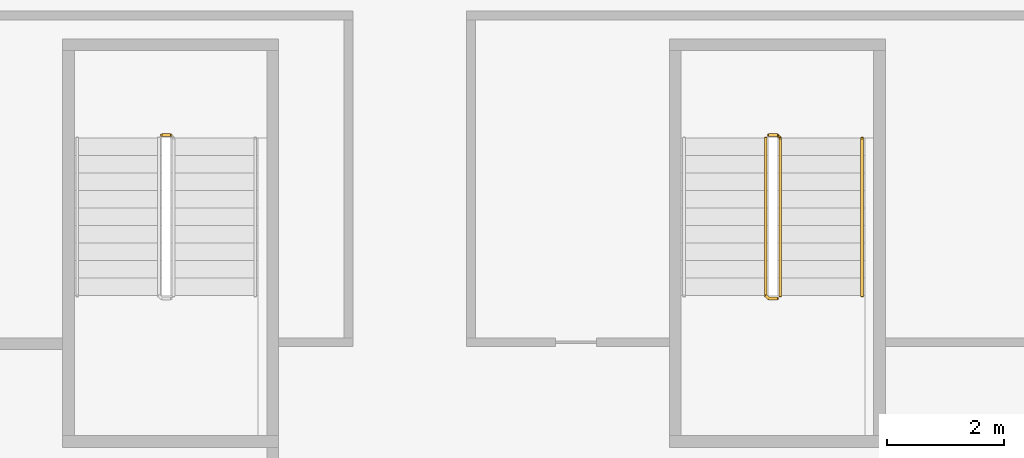
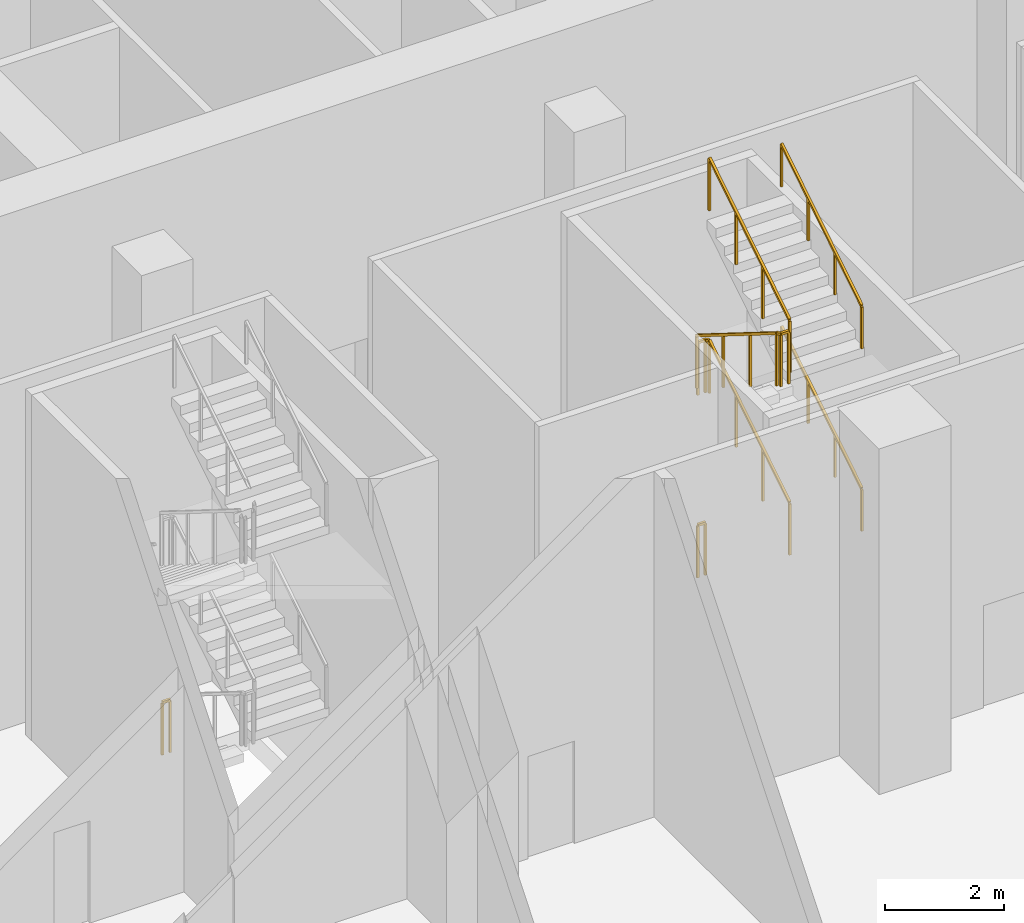
# One storey, part 38 of 53: 7 railings.
"""IFC4 building model written with IfcOpenShell, lengths in metres."""

from ifc_helpers import new_model, si_unit, direction, frame, origin, origin_2d, place, context, subcontext, project, spatial, rectangle, extrude, material, type_object, element, save


model = new_model("IFC4")

# Units and contexts
model_context = context("Model", 3, precision=1e-05, world=origin(), true_north=direction((0.0, 1.0)))
body_context = subcontext(model_context, "Body", "Model", "MODEL_VIEW")
ifc_project = project(units=[si_unit("LENGTHUNIT", "METRE"), si_unit("AREAUNIT", "SQUARE_METRE"), si_unit("VOLUMEUNIT", "CUBIC_METRE"), si_unit("PLANEANGLEUNIT", "RADIAN"), si_unit("MASSUNIT", "GRAM", prefix="KILO")], contexts=[model_context])

# Site, building, storey
site_placement = place(None, origin())
site = spatial("IfcSite", under=ifc_project, at=site_placement, CompositionType="ELEMENT")
building_placement = place(site_placement, origin())
building = spatial("IfcBuilding", under=site, at=building_placement, Name="Vermilion Ogive Tower", CompositionType="ELEMENT")
storey_placement = place(building_placement, origin())
storey = spatial("IfcBuildingStorey", under=building, at=storey_placement, Name="L00", CompositionType="ELEMENT", Elevation=0.0)

# Railings
ifc_material_1 = material(Name="Steel S355 painted", Category="steel")
railing_type_1 = type_object("IfcRailingType", Name="Stair guard 1100", PredefinedType="GUARDRAIL", material=ifc_material_1)
railing_1_placement = place(storey_placement, frame((-10.550048828125, -14.64990234375, 0.0)))
element("IfcRailing", 1, at=railing_1_placement, inside=storey, type_object=railing_type_1, Name="L00 ST3 stair guard 8", PredefinedType="GUARDRAIL", context=body_context, shape_type="SweptSolid", body=[
    extrude(rectangle(XDim=0.048095703125, YDim=0.048095703125, at=origin_2d()), frame((0.0, 0.0, 1.076171875), z_axis=(1.0, 0.0, 0.0), x_axis=(0.0, 1.0, 0.0)), (0.0, 0.0, 1.0), 0.150146484375),
    extrude(rectangle(XDim=0.0419921875, YDim=0.0419921875, at=origin_2d()), origin(), (0.0, 0.0, 1.0), 1.052001953125),
    extrude(rectangle(XDim=0.0419921875, YDim=0.0419921875, at=origin_2d()), frame((0.150146484375, 0.0, 0.0)), (0.0, 0.0, 1.0), 1.052001953125),
])
railing_2_placement = place(storey_placement, frame((0.050048828125, -17.39990234375, 2.0625)))
element("IfcRailing", 2, at=railing_2_placement, inside=storey, type_object=railing_type_1, Name="L00 ST4 stair guard 3", PredefinedType="GUARDRAIL", context=body_context, shape_type="SweptSolid", body=[
    extrude(rectangle(XDim=0.048095703125, YDim=0.048095703125, at=origin_2d()), frame((0.0, 0.0, 1.076171875), z_axis=(0.0, 0.847993996163, 0.530005832488), x_axis=(-1.0, 0.0, 0.0)), (0.0, 0.0, 1.0), 3.183837890625),
    extrude(rectangle(XDim=0.048095703125, YDim=0.048095703125, at=origin_2d()), frame((0.0, 2.699951171875, 2.763671875), z_axis=(-0.707106781187, 0.707106781187, 0.0), x_axis=(-0.707106781187, -0.707106781187, 0.0)), (0.0, 0.0, 1.0), 0.07080078125),
    extrude(rectangle(XDim=0.048095703125, YDim=0.048095703125, at=origin_2d()), frame((-0.050048828125, 2.75, 2.763671875), z_axis=(-1.0, 0.0, 0.0), x_axis=(0.0, -1.0, 0.0)), (0.0, 0.0, 1.0), 0.14990234375),
    extrude(rectangle(XDim=0.0419921875, YDim=0.0419921875, at=origin_2d()), origin(), (0.0, 0.0, 1.0), 1.052001953125),
    extrude(rectangle(XDim=0.0419921875, YDim=0.0419921875, at=origin_2d()), frame((0.0, 0.89990234375, 0.5625)), (0.0, 0.0, 1.0), 1.052001953125),
    extrude(rectangle(XDim=0.0419921875, YDim=0.0419921875, at=origin_2d()), frame((0.0, 1.800048828125, 1.125)), (0.0, 0.0, 1.0), 1.052001953125),
    extrude(rectangle(XDim=0.0419921875, YDim=0.0419921875, at=origin_2d()), frame((0.0, 2.699951171875, 1.6875)), (0.0, 0.0, 1.0), 1.052001953125),
    extrude(rectangle(XDim=0.0419921875, YDim=0.0419921875, at=origin_2d()), frame((-0.050048828125, 2.75, 1.6875)), (0.0, 0.0, 1.0), 1.052001953125),
    extrude(rectangle(XDim=0.0419921875, YDim=0.0419921875, at=origin_2d()), frame((-0.199951171875, 2.75, 1.6875)), (0.0, 0.0, 1.0), 1.052001953125),
])
railing_3_placement = place(storey_placement, frame((-0.199951171875, -14.699951171875, 3.9375)))
element("IfcRailing", 3, at=railing_3_placement, inside=storey, type_object=railing_type_1, Name="L00 ST4 stair guard 5", PredefinedType="GUARDRAIL", context=body_context, shape_type="SweptSolid", body=[
    extrude(rectangle(XDim=0.048095703125, YDim=0.048095703125, at=origin_2d()), frame((0.0, 0.0, 1.076171875), z_axis=(0.0, -0.847993996163, 0.530005832488), x_axis=(1.0, 0.0, 0.0)), (0.0, 0.0, 1.0), 3.183837890625),
    extrude(rectangle(XDim=0.048095703125, YDim=0.048095703125, at=origin_2d()), frame((0.0, -2.699951171875, 2.763671875), z_axis=(0.707106781187, -0.707106781187, 0.0), x_axis=(0.707106781187, 0.707106781187, 0.0)), (0.0, 0.0, 1.0), 0.07080078125),
    extrude(rectangle(XDim=0.048095703125, YDim=0.048095703125, at=origin_2d()), frame((0.050048828125, -2.75, 2.763671875), z_axis=(1.0, 0.0, 0.0), x_axis=(0.0, 1.0, 0.0)), (0.0, 0.0, 1.0), 0.14990234375),
    extrude(rectangle(XDim=0.0419921875, YDim=0.0419921875, at=origin_2d()), origin(), (0.0, 0.0, 1.0), 1.052001953125),
    extrude(rectangle(XDim=0.0419921875, YDim=0.0419921875, at=origin_2d()), frame((0.0, -0.89990234375, 0.5625)), (0.0, 0.0, 1.0), 1.052001953125),
    extrude(rectangle(XDim=0.0419921875, YDim=0.0419921875, at=origin_2d()), frame((0.0, -1.800048828125, 1.125)), (0.0, 0.0, 1.0), 1.052001953125),
    extrude(rectangle(XDim=0.0419921875, YDim=0.0419921875, at=origin_2d()), frame((0.0, -2.699951171875, 1.6875)), (0.0, 0.0, 1.0), 1.052001953125),
    extrude(rectangle(XDim=0.0419921875, YDim=0.0419921875, at=origin_2d()), frame((0.050048828125, -2.75, 1.6875)), (0.0, 0.0, 1.0), 1.052001953125),
    extrude(rectangle(XDim=0.0419921875, YDim=0.0419921875, at=origin_2d()), frame((0.199951171875, -2.75, 1.6875)), (0.0, 0.0, 1.0), 1.052001953125),
])
railing_4_placement = place(storey_placement, frame((0.050048828125, -17.39990234375, 5.8125)))
element("IfcRailing", 4, at=railing_4_placement, inside=storey, type_object=railing_type_1, Name="L00 ST4 stair guard 7", PredefinedType="GUARDRAIL", context=body_context, shape_type="SweptSolid", body=[
    extrude(rectangle(XDim=0.048095703125, YDim=0.048095703125, at=origin_2d()), frame((0.0, 0.0, 1.076171875), z_axis=(0.0, 0.847993996163, 0.530005832488), x_axis=(-1.0, 0.0, 0.0)), (0.0, 0.0, 1.0), 3.183837890625),
    extrude(rectangle(XDim=0.0419921875, YDim=0.0419921875, at=origin_2d()), origin(), (0.0, 0.0, 1.0), 1.052001953125),
    extrude(rectangle(XDim=0.0419921875, YDim=0.0419921875, at=origin_2d()), frame((0.0, 0.89990234375, 0.5625)), (0.0, 0.0, 1.0), 1.052001953125),
    extrude(rectangle(XDim=0.0419921875, YDim=0.0419921875, at=origin_2d()), frame((0.0, 1.800048828125, 1.125)), (0.0, 0.0, 1.0), 1.052001953125),
    extrude(rectangle(XDim=0.0419921875, YDim=0.0419921875, at=origin_2d()), frame((0.0, 2.699951171875, 1.6875)), (0.0, 0.0, 1.0), 1.052001953125),
])
railing_5_placement = place(storey_placement, frame((-0.14990234375, -14.64990234375, 0.0)))
element("IfcRailing", 5, at=railing_5_placement, inside=storey, type_object=railing_type_1, Name="L00 ST4 stair guard 8", PredefinedType="GUARDRAIL", context=body_context, shape_type="SweptSolid", body=[
    extrude(rectangle(XDim=0.048095703125, YDim=0.048095703125, at=origin_2d()), frame((0.0, 0.0, 1.076171875), z_axis=(1.0, 0.0, 0.0), x_axis=(0.0, 1.0, 0.0)), (0.0, 0.0, 1.0), 0.14990234375),
    extrude(rectangle(XDim=0.0419921875, YDim=0.0419921875, at=origin_2d()), origin(), (0.0, 0.0, 1.0), 1.052001953125),
    extrude(rectangle(XDim=0.0419921875, YDim=0.0419921875, at=origin_2d()), frame((0.14990234375, 0.0, 0.0)), (0.0, 0.0, 1.0), 1.052001953125),
])
ifc_material_2 = material(Name="Stainless steel", Category="steel")
railing_type_2 = type_object("IfcRailingType", Name="Stair handrail 900", PredefinedType="HANDRAIL", material=ifc_material_2)
for number, where, name in (
    (6, (1.449951171875, -17.39990234375, 2.0625), "L00 ST4 stair handrail 2"),
    (7, (1.449951171875, -17.39990234375, 5.8125), "L00 ST4 stair handrail 4"),
):
    element("IfcRailing", number, at=place(storey_placement, frame(where)), inside=storey, type_object=railing_type_2, Name=name, PredefinedType="HANDRAIL", context=body_context, shape_type="SweptSolid", body=[
        extrude(rectangle(XDim=0.048095703125, YDim=0.048095703125, at=origin_2d()), frame((0.0, 0.0, 0.8759765625), z_axis=(0.0, 0.847993996163, 0.530005832488), x_axis=(-1.0, 0.0, 0.0)), (0.0, 0.0, 1.0), 3.183837890625),
        extrude(rectangle(XDim=0.0419921875, YDim=0.0419921875, at=origin_2d()), origin(), (0.0, 0.0, 1.0), 0.851806640625),
        extrude(rectangle(XDim=0.0419921875, YDim=0.0419921875, at=origin_2d()), frame((0.0, 0.89990234375, 0.5625)), (0.0, 0.0, 1.0), 0.851806640625),
        extrude(rectangle(XDim=0.0419921875, YDim=0.0419921875, at=origin_2d()), frame((0.0, 1.800048828125, 1.125)), (0.0, 0.0, 1.0), 0.851806640625),
        extrude(rectangle(XDim=0.0419921875, YDim=0.0419921875, at=origin_2d()), frame((0.0, 2.699951171875, 1.6875)), (0.0, 0.0, 1.0), 0.851806640625),
    ])

save(model, "model.ifc")
